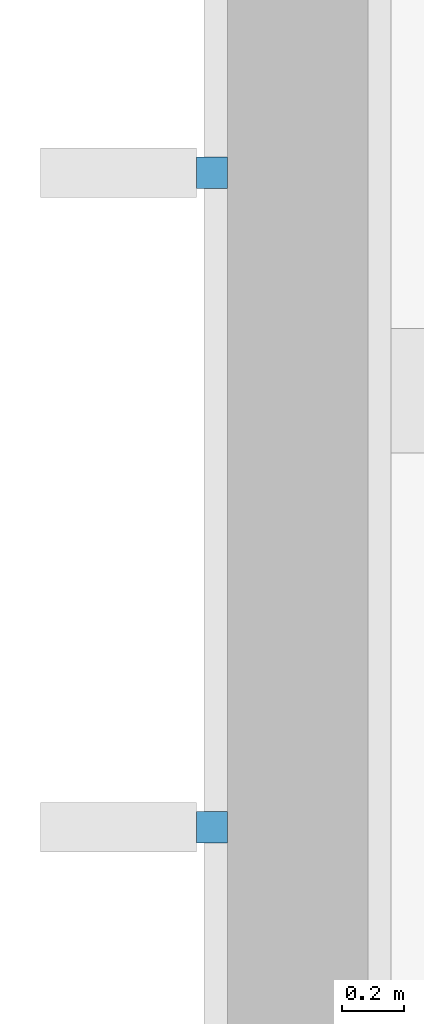
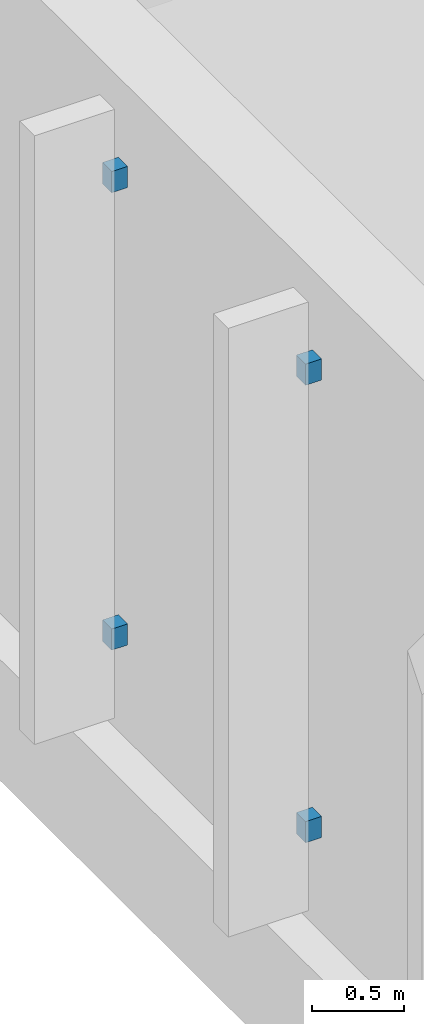
# One storey, part 56 of 79: 4 discrete accessories.
"""IFC4 building model written with IfcOpenShell, lengths in metres."""

import ifcopenshell
import ifcopenshell.guid

model = None  # the IFC model being written
_history = None  # IfcOwnerHistory: only IFC2X3 demands one
_inside = {}  # id of a spatial element -> (the spatial element, [elements in it])
_under = {}  # id of a project, library or spatial element -> (it, [spatial elements below it])
_declared = {}  # id of a project -> (the project, [libraries it declares])
_typed = {}  # id of a type object -> (the type object, [elements of that type])
_made_of = {}  # id of a material, layer set ... -> (it, [elements and type objects made of it])


def new_model(schema):
    """Start an empty IFC model of exactly this schema.

    Asked for "IFC4X3", IfcOpenShell would pick the latest addendum, in which some entities
    have other attributes; the version numbers below select the first issue.
    IFC2X3 requires an IfcOwnerHistory on every rooted entity: one is made here for all.
    """
    global model, _history
    if schema == "IFC4X3":
        model = ifcopenshell.file(schema_version=(4, 3, 0, 0))
    else:
        model = ifcopenshell.file(schema=schema)
    _inside.clear()
    _under.clear()
    _declared.clear()
    _typed.clear()
    _made_of.clear()
    _history = None
    if model.schema == "IFC2X3":
        org = make("IfcOrganization", Name="unknown")
        user = make(
            "IfcPersonAndOrganization",
            ThePerson=make("IfcPerson", FamilyName="unknown"),
            TheOrganization=org,
        )
        app = make(
            "IfcApplication",
            ApplicationDeveloper=org,
            Version="unknown",
            ApplicationFullName="unknown",
            ApplicationIdentifier="unknown",
        )
        _history = make(
            "IfcOwnerHistory",
            OwningUser=user,
            OwningApplication=app,
            ChangeAction="ADDED",
            CreationDate=0,
        )
    return model


def make(cls, **values):
    """One entity of the class cls with the attributes given. An attribute that is None is left unset."""
    return model.create_entity(
        cls, **{name: value for name, value in values.items() if value is not None}
    )


def rooted(cls, **values):
    """An entity with a GlobalId (a new one), such as an element, a storey or a relation."""
    return make(cls, GlobalId=ifcopenshell.guid.new(), OwnerHistory=_history, **values)


def si_unit(unit_type, name, prefix=None):
    """IfcSIUnit, for example si_unit("LENGTHUNIT", "METRE", prefix="MILLI")."""
    return make("IfcSIUnit", UnitType=unit_type, Prefix=prefix, Name=name)


def assignment(units):
    """IfcUnitAssignment: the units of a project."""
    return None if units is None else make("IfcUnitAssignment", Units=units)


def point(xyz):
    """IfcCartesianPoint."""
    return None if xyz is None else make("IfcCartesianPoint", Coordinates=xyz)


def direction(xyz):
    """IfcDirection."""
    return None if xyz is None else make("IfcDirection", DirectionRatios=xyz)


def frame(location, z_axis=None, x_axis=None):
    """IfcAxis2Placement3D, a coordinate frame: its origin and axes. An axis left out is left unset."""
    return make(
        "IfcAxis2Placement3D",
        Location=point(location),
        Axis=direction(z_axis),
        RefDirection=direction(x_axis),
    )


def frame_2d(location, x_axis=None):
    """IfcAxis2Placement2D, a coordinate frame in the plane: its origin and x axis."""
    return make(
        "IfcAxis2Placement2D", Location=point(location), RefDirection=direction(x_axis)
    )


def origin():
    """The frame at (0, 0, 0) with its axes left unset."""
    return frame((0.0, 0.0, 0.0))


def origin_2d():
    """The frame at (0, 0) in the plane with its x axis left unset."""
    return frame_2d((0.0, 0.0))


def place(relative_to, where):
    """IfcLocalPlacement: puts the frame where relative to a parent placement (None: the world)."""
    return make(
        "IfcLocalPlacement", PlacementRelTo=relative_to, RelativePlacement=where
    )


def context(
    kind, dimensions, precision=None, world=None, true_north=None, identifier=None
):
    """IfcGeometricRepresentationContext, for example the 3D "Model" context."""
    return make(
        "IfcGeometricRepresentationContext",
        ContextIdentifier=identifier,
        ContextType=kind,
        CoordinateSpaceDimension=dimensions,
        Precision=precision,
        WorldCoordinateSystem=world,
        TrueNorth=true_north,
    )


def subcontext(parent, identifier, kind, view, scale=None):
    """IfcGeometricRepresentationSubContext, for example "Body" below "Model"."""
    return make(
        "IfcGeometricRepresentationSubContext",
        ContextIdentifier=identifier,
        ContextType=kind,
        ParentContext=parent,
        TargetScale=scale,
        TargetView=view,
    )


def project(units=None, contexts=None):
    """IfcProject with its units and contexts."""
    return rooted(
        "IfcProject",
        Name="project",
        RepresentationContexts=contexts,
        UnitsInContext=assignment(units),
    )


def spatial(cls, under=None, at=None, **own):
    """A site, building, storey or space (cls), placed at a placement, below another one or the project."""
    s = rooted(cls, ObjectPlacement=at, **own)
    if under is not None:
        _under.setdefault(under.id(), (under, []))[1].append(s)
    return s


def profile(cls, at=None, kind="AREA", **sizes):
    """A parametric profile (cls). Its sizes go by their IFC names, for example OverallWidth=200.0."""
    return make(cls, ProfileType=kind, Position=at, **sizes)


def rectangle(**sizes):
    """IfcRectangleProfileDef."""
    return profile("IfcRectangleProfileDef", **sizes)


def extrude(swept, where, along, depth):
    """IfcExtrudedAreaSolid: the profile swept, set in the frame where, extruded along a direction by depth."""
    return make(
        "IfcExtrudedAreaSolid",
        SweptArea=swept,
        Position=where,
        ExtrudedDirection=direction(along),
        Depth=depth,
    )


def shape(context_of_items, identifier, shape_type, items):
    """IfcShapeRepresentation: the items that make up one representation, for example the "Body"."""
    return make(
        "IfcShapeRepresentation",
        ContextOfItems=context_of_items,
        RepresentationIdentifier=identifier,
        RepresentationType=shape_type,
        Items=items,
    )


def material(Name=None, Category=None):
    """IfcMaterial."""
    return make("IfcMaterial", Name=Name, Category=Category)


def layer(
    of_material, thickness, ventilated=None, Name=None, Category=None, Priority=None
):
    """IfcMaterialLayer: one layer of a wall or slab, of a material (None: an air gap)."""
    return make(
        "IfcMaterialLayer",
        Material=of_material,
        LayerThickness=thickness,
        IsVentilated=ventilated,
        Name=Name,
        Category=Category,
        Priority=Priority,
    )


def layer_set(layers, Name=None):
    """IfcMaterialLayerSet."""
    return make("IfcMaterialLayerSet", MaterialLayers=layers, LayerSetName=Name)


def made_of(thing, what):
    """Note that an element or type object is made of a material, layer set ...; save() writes the relation."""
    if what is not None:
        _made_of.setdefault(what.id(), (what, []))[1].append(thing)
    return thing


def type_object(cls, material=None, **own):
    """A type object (cls), such as IfcWallType, which elements share."""
    return made_of(rooted(cls, **own), material)


def element(
    cls,
    number,
    at=None,
    inside=None,
    cuts=None,
    type_object=None,
    material=None,
    context=None,
    identifier="Body",
    shape_type=None,
    held_by="IfcProductDefinitionShape",
    body=None,
    shapes=None,
    **own,
):
    """One element of the class cls, such as IfcWall. Its Tag is "e" and its number.

    at: its placement. inside: the storey or other place that contains it. cuts: it is an
    opening in that element (IfcRelVoidsElement). A single representation is given by context,
    identifier, shape_type and body (its items); several are given by shapes. held_by: the class
    of the entity that holds the representations. save() writes the other relations.
    """
    e = rooted(cls, Tag="e%d" % number, ObjectPlacement=at, **own)
    if body is not None:
        shapes = [shape(context, identifier, shape_type, body)]
    if shapes is not None:
        e.Representation = make(held_by, Representations=shapes)
    if inside is not None:
        _inside.setdefault(inside.id(), (inside, []))[1].append(e)
    if cuts is not None:
        rooted(
            "IfcRelVoidsElement", RelatingBuildingElement=cuts, RelatedOpeningElement=e
        )
    if type_object is not None:
        _typed.setdefault(type_object.id(), (type_object, []))[1].append(e)
    return made_of(e, material)


def aggregate(whole, parts):
    """IfcRelAggregates: a whole, such as a stair, and the parts it consists of."""
    return rooted("IfcRelAggregates", RelatingObject=whole, RelatedObjects=parts)


def save(model, path):
    """Write the relations noted so far, then the file.

    IfcRelAggregates (storeys below a building ...), IfcRelContainedInSpatialStructure (elements
    in a storey), IfcRelDefinesByType, IfcRelAssociatesMaterial and IfcRelDeclares: one each for
    every whole, place, type object, material and project.
    """
    for whole, parts in _under.values():
        aggregate(whole, parts)
    for where, things in _inside.values():
        rooted(
            "IfcRelContainedInSpatialStructure",
            RelatedElements=things,
            RelatingStructure=where,
        )
    for kind, things in _typed.values():
        rooted("IfcRelDefinesByType", RelatedObjects=things, RelatingType=kind)
    for what, things in _made_of.values():
        rooted("IfcRelAssociatesMaterial", RelatedObjects=things, RelatingMaterial=what)
    for by, libraries in _declared.values():
        rooted("IfcRelDeclares", RelatingContext=by, RelatedDefinitions=libraries)
    model.write(path)


model = new_model("IFC4")

# Units and contexts
model_context = context("Model", 3, precision=1e-05, world=origin(), true_north=direction((0.0, 1.0)))
body_context = subcontext(model_context, "Body", "Model", "MODEL_VIEW")
ifc_project = project(units=[si_unit("LENGTHUNIT", "METRE"), si_unit("AREAUNIT", "SQUARE_METRE"), si_unit("VOLUMEUNIT", "CUBIC_METRE"), si_unit("PLANEANGLEUNIT", "RADIAN"), si_unit("MASSUNIT", "GRAM", prefix="KILO")], contexts=[model_context])

# Site, building, storey
site_placement = place(None, origin())
site = spatial("IfcSite", under=ifc_project, at=site_placement, CompositionType="ELEMENT")
building_placement = place(site_placement, origin())
building = spatial("IfcBuilding", under=site, at=building_placement, Name="Larchfold Concert Hall", CompositionType="ELEMENT")
storey_placement = place(building_placement, frame((0.0, 0.0, 14.39990234375)))
storey = spatial("IfcBuildingStorey", under=building, at=storey_placement, Name="L03", CompositionType="ELEMENT", Elevation=14.39990234375)

# Discrete accessories
ifc_material = material(Name="Steel S355 galvanised bracket", Category="steel")
ifc_layer = layer(ifc_material, 0.10009765625)
ifc_layer_set = layer_set([ifc_layer], Name="Steel S355 galvanised bracket")
discrete_accessory_type = type_object("IfcDiscreteAccessoryType", Name="Fin support bracket", PredefinedType="BRACKET", material=ifc_layer_set)
for number, where, z_axis, x_axis, name in (
    (1, (75.925048828125, 97.199951171875, 0.6298828125), (0.0, 0.0, 1.0), (-1.0, 0.0, 0.0), "Fin bracket FN-L03-027-1"),
    (2, (75.925048828125, 97.199951171875, 3.65478515625), (0.0, 0.0, 1.0), (-1.0, 0.0, 0.0), "Fin bracket FN-L03-027-2"),
    (3, (75.925048828125, 99.300048828125, 0.6298828125), (0.0, 0.0, 1.0), (-1.0, 0.0, 0.0), "Fin bracket FN-L03-028-1"),
    (4, (75.925048828125, 99.300048828125, 3.65478515625), (0.0, 0.0, 1.0), (-1.0, 0.0, 0.0), "Fin bracket FN-L03-028-2"),
):
    element("IfcDiscreteAccessory", number, at=place(storey_placement, frame(where, z_axis=z_axis, x_axis=x_axis)), inside=storey, type_object=discrete_accessory_type, Name=name, PredefinedType="BRACKET", context=body_context, shape_type="SweptSolid", body=[
        extrude(rectangle(XDim=0.10009765625, YDim=0.10009765625, at=origin_2d()), origin(), (0.0, 0.0, 1.0), 0.139892578125),
    ])

save(model, "model.ifc")
